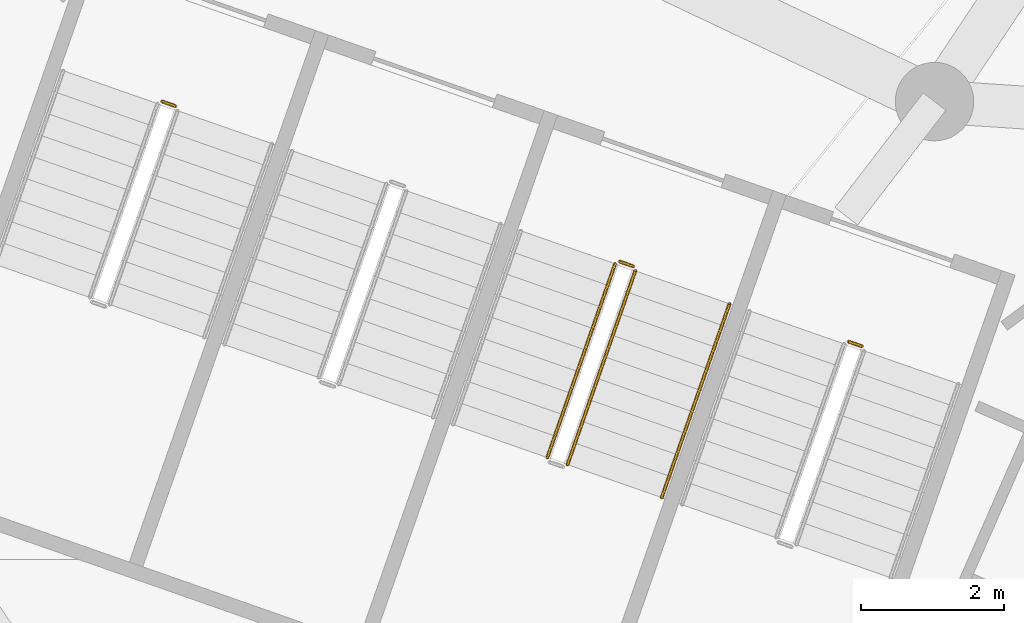
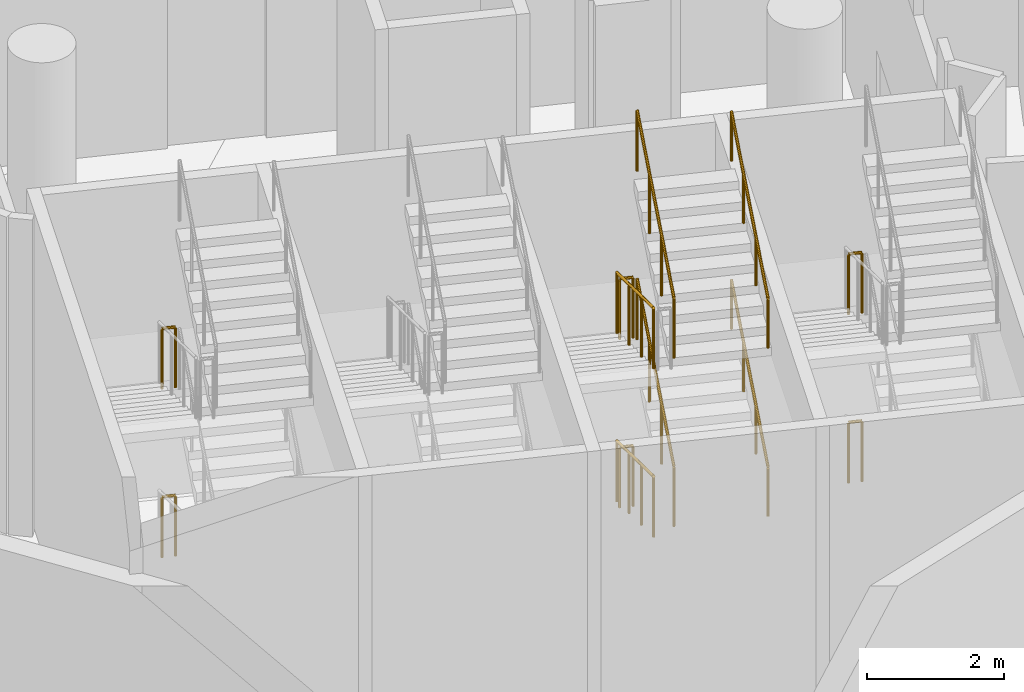
# One storey, part 200 of 249: 12 railings.
"""IFC4 building model written with IfcOpenShell, lengths in metres."""

from ifc_helpers import new_model, si_unit, direction, frame, origin, origin_2d, place, context, subcontext, project, spatial, circle, extrude, material, type_object, element, save


model = new_model("IFC4")

# Units and contexts
model_context = context("Model", 3, precision=1e-05, world=origin(), true_north=direction((0.0, 1.0)))
body_context = subcontext(model_context, "Body", "Model", "MODEL_VIEW")
ifc_project = project(units=[si_unit("LENGTHUNIT", "METRE"), si_unit("AREAUNIT", "SQUARE_METRE"), si_unit("VOLUMEUNIT", "CUBIC_METRE"), si_unit("PLANEANGLEUNIT", "RADIAN"), si_unit("MASSUNIT", "GRAM", prefix="KILO")], contexts=[model_context])

# Site, building, storey
site_placement = place(None, origin())
site = spatial("IfcSite", under=ifc_project, at=site_placement, CompositionType="ELEMENT")
building_placement = place(site_placement, origin())
building = spatial("IfcBuilding", under=site, at=building_placement, Name="Meseta Stadium", CompositionType="ELEMENT")
storey_placement = place(building_placement, frame((0.0, 0.0, 12.0)))
storey = spatial("IfcBuildingStorey", under=building, at=storey_placement, Name="L02", CompositionType="ELEMENT", Elevation=12.0)

# Railings
ifc_material_1 = material(Name="Steel S355", Category="steel")
railing_type_1 = type_object("IfcRailingType", Name="Stair guard 1100", PredefinedType="GUARDRAIL", material=ifc_material_1)
for number, where, name in (
    (1, (-65.35791015625, -89.577392578125, 3.0), "ST85 L02 guard 4"),
    (2, (-65.35791015625, -89.577392578125, 0.0), "ST85 L02 guard 8"),
):
    element("IfcRailing", number, at=place(storey_placement, frame(where)), inside=storey, type_object=railing_type_1, Name=name, PredefinedType="GUARDRAIL", context=body_context, shape_type="SweptSolid", body=[
        extrude(circle(Radius=0.02392578125, at=origin_2d()), frame((0.0, 0.0, 1.076171875), z_axis=(0.943686935281, -0.330839792317, 0.0), x_axis=(0.330839792317, 0.943686935281, 0.0)), (0.0, 0.0, 1.0), 0.199951171875),
        extrude(circle(Radius=0.02099609375, at=origin_2d()), origin(), (0.0, 0.0, 1.0), 1.052001953125),
        extrude(circle(Radius=0.02099609375, at=origin_2d()), frame((0.188720703125, -0.066162109375, 0.0)), (0.0, 0.0, 1.0), 1.052001953125),
    ])
railing_1_placement = place(storey_placement, frame((-59.003173828125, -91.85400390625, 0.14990234375)))
element("IfcRailing", 3, at=railing_1_placement, inside=storey, type_object=railing_type_1, Name="ST87 L02 guard 1", PredefinedType="GUARDRAIL", context=body_context, shape_type="SweptSolid", body=[
    extrude(circle(Radius=0.02392578125, at=origin_2d()), frame((0.0, 0.0, 1.076171875), z_axis=(-0.299031328765, -0.854649344405, 0.42444641891), x_axis=(0.943891390388, -0.330256026668, 0.0)), (0.0, 0.0, 1.0), 3.180908203125),
    extrude(circle(Radius=0.02099609375, at=origin_2d()), origin(), (0.0, 0.0, 1.0), 1.052001953125),
    extrude(circle(Radius=0.02099609375, at=origin_2d()), frame((-0.317138671875, -0.90625, 0.449951171875)), (0.0, 0.0, 1.0), 1.052001953125),
    extrude(circle(Radius=0.02099609375, at=origin_2d()), frame((-0.634033203125, -1.812255859375, 0.900146484375)), (0.0, 0.0, 1.0), 1.052001953125),
    extrude(circle(Radius=0.02099609375, at=origin_2d()), frame((-0.951171875, -2.718505859375, 1.35009765625)), (0.0, 0.0, 1.0), 1.052001953125),
])
railing_2_placement = place(storey_placement, frame((-59.671142578125, -94.67138671875, 1.64990234375)))
element("IfcRailing", 4, at=railing_2_placement, inside=storey, type_object=railing_type_1, Name="ST87 L02 guard 3", PredefinedType="GUARDRAIL", context=body_context, shape_type="SweptSolid", body=[
    extrude(circle(Radius=0.02392578125, at=origin_2d()), frame((0.0, 0.0, 1.076171875), z_axis=(0.299050945451, 0.854628651604, 0.424474262922), x_axis=(-0.943882143717, 0.33028245302, 0.0)), (0.0, 0.0, 1.0), 3.1806640625),
    extrude(circle(Radius=0.02099609375, at=origin_2d()), origin(), (0.0, 0.0, 1.0), 1.052001953125),
    extrude(circle(Radius=0.02099609375, at=origin_2d()), frame((0.317138671875, 0.906005859375, 0.449951171875)), (0.0, 0.0, 1.0), 1.052001953125),
    extrude(circle(Radius=0.02099609375, at=origin_2d()), frame((0.634033203125, 1.812255859375, 0.900146484375)), (0.0, 0.0, 1.0), 1.052001953125),
    extrude(circle(Radius=0.02099609375, at=origin_2d()), frame((0.951171875, 2.71826171875, 1.35009765625)), (0.0, 0.0, 1.0), 1.052001953125),
])
railing_3_placement = place(storey_placement, frame((-58.939453125, -91.8232421875, 3.0)))
element("IfcRailing", 5, at=railing_3_placement, inside=storey, type_object=railing_type_1, Name="ST87 L02 guard 4", PredefinedType="GUARDRAIL", context=body_context, shape_type="SweptSolid", body=[
    extrude(circle(Radius=0.02392578125, at=origin_2d()), frame((0.0, 0.0, 1.076171875), z_axis=(0.943686935281, -0.330839792317, 0.0), x_axis=(0.330839792317, 0.943686935281, 0.0)), (0.0, 0.0, 1.0), 0.199951171875),
    extrude(circle(Radius=0.02099609375, at=origin_2d()), origin(), (0.0, 0.0, 1.0), 1.052001953125),
    extrude(circle(Radius=0.02099609375, at=origin_2d()), frame((0.188720703125, -0.066162109375, 0.0)), (0.0, 0.0, 1.0), 1.052001953125),
])
railing_4_placement = place(storey_placement, frame((-59.003173828125, -91.85400390625, 3.14990234375)))
element("IfcRailing", 6, at=railing_4_placement, inside=storey, type_object=railing_type_1, Name="ST87 L02 guard 5", PredefinedType="GUARDRAIL", context=body_context, shape_type="SweptSolid", body=[
    extrude(circle(Radius=0.02392578125, at=origin_2d()), frame((0.0, 0.0, 1.076171875), z_axis=(-0.299031328765, -0.854649344405, 0.42444641891), x_axis=(0.943891390388, -0.330256026668, 0.0)), (0.0, 0.0, 1.0), 3.180908203125),
    extrude(circle(Radius=0.02099609375, at=origin_2d()), origin(), (0.0, 0.0, 1.0), 1.052001953125),
    extrude(circle(Radius=0.02099609375, at=origin_2d()), frame((-0.317138671875, -0.90625, 0.449951171875)), (0.0, 0.0, 1.0), 1.052001953125),
    extrude(circle(Radius=0.02099609375, at=origin_2d()), frame((-0.634033203125, -1.812255859375, 0.900146484375)), (0.0, 0.0, 1.0), 1.052001953125),
    extrude(circle(Radius=0.02099609375, at=origin_2d()), frame((-0.951171875, -2.718505859375, 1.35009765625)), (0.0, 0.0, 1.0), 1.052001953125),
])
railing_5_placement = place(storey_placement, frame((-59.671142578125, -94.67138671875, 4.64990234375)))
element("IfcRailing", 7, at=railing_5_placement, inside=storey, type_object=railing_type_1, Name="ST87 L02 guard 7", PredefinedType="GUARDRAIL", context=body_context, shape_type="SweptSolid", body=[
    extrude(circle(Radius=0.02392578125, at=origin_2d()), frame((0.0, 0.0, 1.076171875), z_axis=(0.299050945451, 0.854628651604, 0.424474262922), x_axis=(-0.943882143717, 0.33028245302, 0.0)), (0.0, 0.0, 1.0), 3.1806640625),
    extrude(circle(Radius=0.02099609375, at=origin_2d()), origin(), (0.0, 0.0, 1.0), 1.052001953125),
    extrude(circle(Radius=0.02099609375, at=origin_2d()), frame((0.317138671875, 0.906005859375, 0.449951171875)), (0.0, 0.0, 1.0), 1.052001953125),
    extrude(circle(Radius=0.02099609375, at=origin_2d()), frame((0.634033203125, 1.812255859375, 0.900146484375)), (0.0, 0.0, 1.0), 1.052001953125),
    extrude(circle(Radius=0.02099609375, at=origin_2d()), frame((0.951171875, 2.71826171875, 1.35009765625)), (0.0, 0.0, 1.0), 1.052001953125),
])
for number, where, name in (
    (8, (-58.939453125, -91.8232421875, 0.0), "ST87 L02 guard 8"),
    (9, (-55.730224609375, -92.9462890625, 3.0), "ST88 L02 guard 4"),
    (10, (-55.730224609375, -92.9462890625, 0.0), "ST88 L02 guard 8"),
):
    element("IfcRailing", number, at=place(storey_placement, frame(where)), inside=storey, type_object=railing_type_1, Name=name, PredefinedType="GUARDRAIL", context=body_context, shape_type="SweptSolid", body=[
        extrude(circle(Radius=0.02392578125, at=origin_2d()), frame((0.0, 0.0, 1.076171875), z_axis=(0.943686935281, -0.330839792317, 0.0), x_axis=(0.330839792317, 0.943686935281, 0.0)), (0.0, 0.0, 1.0), 0.199951171875),
        extrude(circle(Radius=0.02099609375, at=origin_2d()), origin(), (0.0, 0.0, 1.0), 1.052001953125),
        extrude(circle(Radius=0.02099609375, at=origin_2d()), frame((0.188720703125, -0.066162109375, 0.0)), (0.0, 0.0, 1.0), 1.052001953125),
    ])
ifc_material_2 = material(Name="Steel S355", Category="steel")
railing_type_2 = type_object("IfcRailingType", Name="Stair handrail 900", PredefinedType="HANDRAIL", material=ifc_material_2)
for number, where, name in (
    (11, (-58.349853515625, -95.1337890625, 1.64990234375), "ST87 L02 handrail 2"),
    (12, (-58.349853515625, -95.1337890625, 4.64990234375), "ST87 L02 handrail 4"),
):
    element("IfcRailing", number, at=place(storey_placement, frame(where)), inside=storey, type_object=railing_type_2, Name=name, PredefinedType="HANDRAIL", context=body_context, shape_type="SweptSolid", body=[
        extrude(circle(Radius=0.02392578125, at=origin_2d()), frame((0.0, 0.0, 0.8759765625), z_axis=(0.299050945451, 0.854628651604, 0.424474262922), x_axis=(-0.943882143717, 0.33028245302, 0.0)), (0.0, 0.0, 1.0), 3.1806640625),
        extrude(circle(Radius=0.02099609375, at=origin_2d()), origin(), (0.0, 0.0, 1.0), 0.851806640625),
        extrude(circle(Radius=0.02099609375, at=origin_2d()), frame((0.317138671875, 0.906005859375, 0.449951171875)), (0.0, 0.0, 1.0), 0.851806640625),
        extrude(circle(Radius=0.02099609375, at=origin_2d()), frame((0.634033203125, 1.812255859375, 0.900146484375)), (0.0, 0.0, 1.0), 0.851806640625),
        extrude(circle(Radius=0.02099609375, at=origin_2d()), frame((0.951171875, 2.71826171875, 1.35009765625)), (0.0, 0.0, 1.0), 0.851806640625),
    ])

save(model, "model.ifc")
